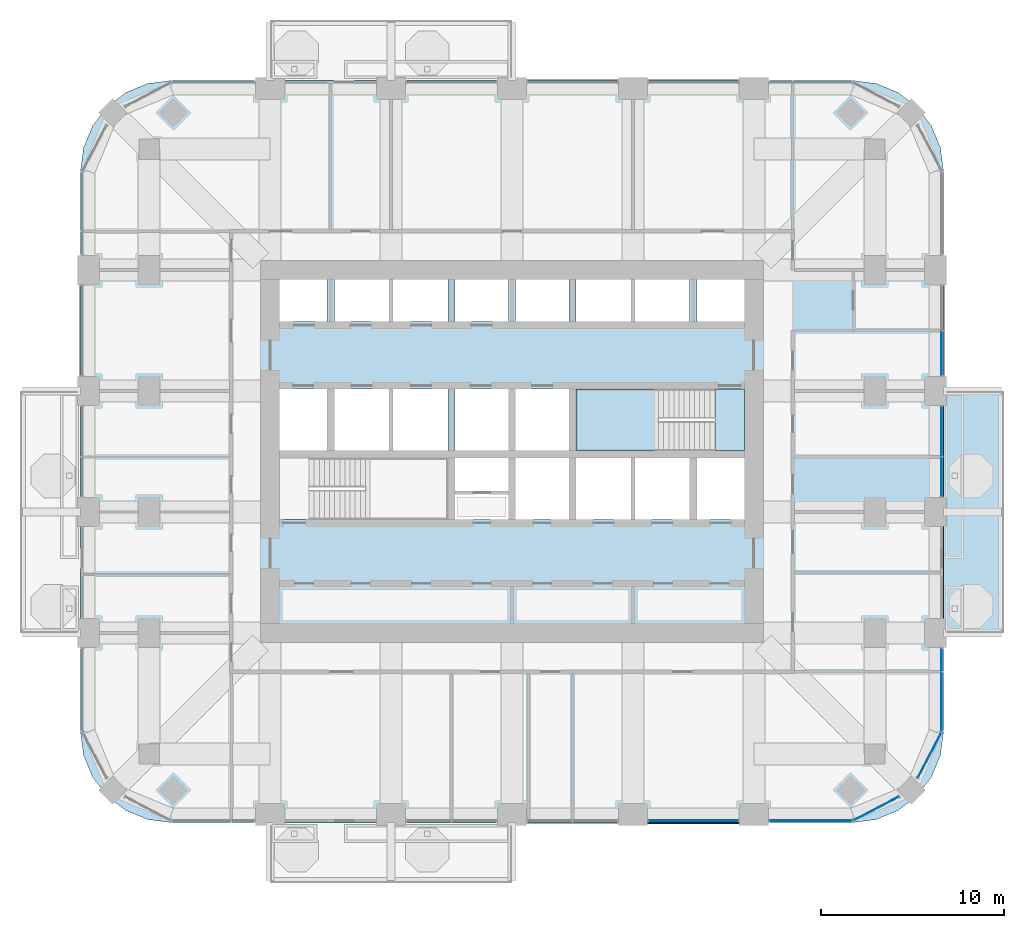
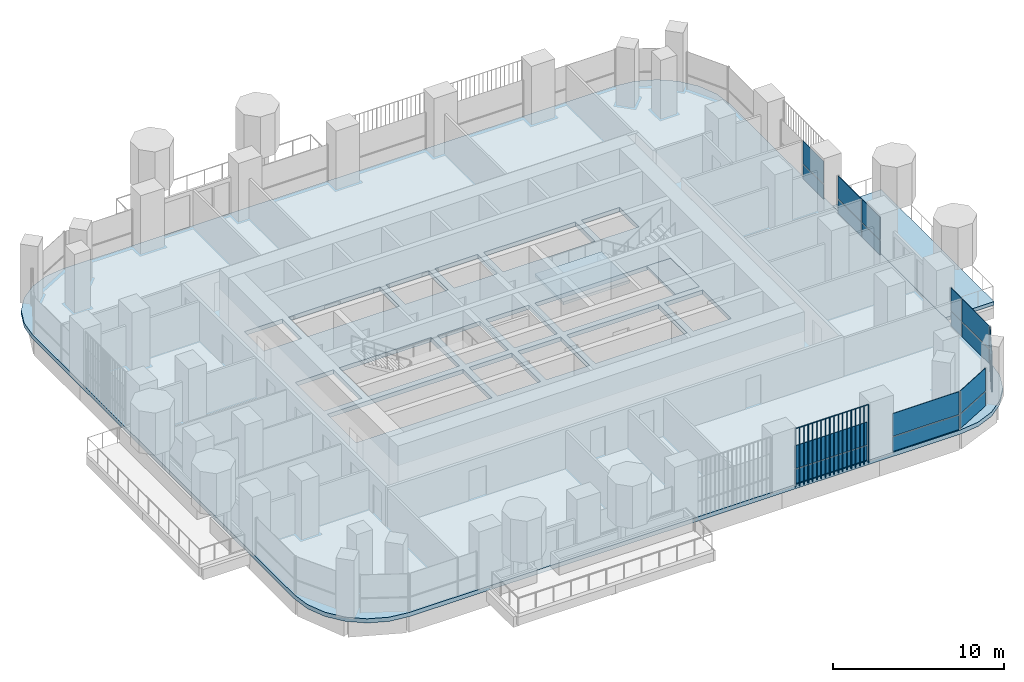
# One storey, part 9 of 20: 19 plates, 4 slabs, 8 elements without a shape of their own.
"""IFC4 building model written with IfcOpenShell, lengths in metres."""

import ifcopenshell
import ifcopenshell.guid

model = None  # the IFC model being written
_history = None  # IfcOwnerHistory: only IFC2X3 demands one
_inside = {}  # id of a spatial element -> (the spatial element, [elements in it])
_under = {}  # id of a project, library or spatial element -> (it, [spatial elements below it])
_declared = {}  # id of a project -> (the project, [libraries it declares])
_typed = {}  # id of a type object -> (the type object, [elements of that type])
_made_of = {}  # id of a material, layer set ... -> (it, [elements and type objects made of it])


def new_model(schema):
    """Start an empty IFC model of exactly this schema.

    Asked for "IFC4X3", IfcOpenShell would pick the latest addendum, in which some entities
    have other attributes; the version numbers below select the first issue.
    IFC2X3 requires an IfcOwnerHistory on every rooted entity: one is made here for all.
    """
    global model, _history
    if schema == "IFC4X3":
        model = ifcopenshell.file(schema_version=(4, 3, 0, 0))
    else:
        model = ifcopenshell.file(schema=schema)
    _inside.clear()
    _under.clear()
    _declared.clear()
    _typed.clear()
    _made_of.clear()
    _history = None
    if model.schema == "IFC2X3":
        org = make("IfcOrganization", Name="unknown")
        user = make(
            "IfcPersonAndOrganization",
            ThePerson=make("IfcPerson", FamilyName="unknown"),
            TheOrganization=org,
        )
        app = make(
            "IfcApplication",
            ApplicationDeveloper=org,
            Version="unknown",
            ApplicationFullName="unknown",
            ApplicationIdentifier="unknown",
        )
        _history = make(
            "IfcOwnerHistory",
            OwningUser=user,
            OwningApplication=app,
            ChangeAction="ADDED",
            CreationDate=0,
        )
    return model


def make(cls, **values):
    """One entity of the class cls with the attributes given. An attribute that is None is left unset."""
    return model.create_entity(
        cls, **{name: value for name, value in values.items() if value is not None}
    )


def rooted(cls, **values):
    """An entity with a GlobalId (a new one), such as an element, a storey or a relation."""
    return make(cls, GlobalId=ifcopenshell.guid.new(), OwnerHistory=_history, **values)


def si_unit(unit_type, name, prefix=None):
    """IfcSIUnit, for example si_unit("LENGTHUNIT", "METRE", prefix="MILLI")."""
    return make("IfcSIUnit", UnitType=unit_type, Prefix=prefix, Name=name)


def assignment(units):
    """IfcUnitAssignment: the units of a project."""
    return None if units is None else make("IfcUnitAssignment", Units=units)


def point(xyz):
    """IfcCartesianPoint."""
    return None if xyz is None else make("IfcCartesianPoint", Coordinates=xyz)


def direction(xyz):
    """IfcDirection."""
    return None if xyz is None else make("IfcDirection", DirectionRatios=xyz)


def frame(location, z_axis=None, x_axis=None):
    """IfcAxis2Placement3D, a coordinate frame: its origin and axes. An axis left out is left unset."""
    return make(
        "IfcAxis2Placement3D",
        Location=point(location),
        Axis=direction(z_axis),
        RefDirection=direction(x_axis),
    )


def frame_2d(location, x_axis=None):
    """IfcAxis2Placement2D, a coordinate frame in the plane: its origin and x axis."""
    return make(
        "IfcAxis2Placement2D", Location=point(location), RefDirection=direction(x_axis)
    )


def origin():
    """The frame at (0, 0, 0) with its axes left unset."""
    return frame((0.0, 0.0, 0.0))


def origin_2d():
    """The frame at (0, 0) in the plane with its x axis left unset."""
    return frame_2d((0.0, 0.0))


def place(relative_to, where):
    """IfcLocalPlacement: puts the frame where relative to a parent placement (None: the world)."""
    return make(
        "IfcLocalPlacement", PlacementRelTo=relative_to, RelativePlacement=where
    )


def context(
    kind, dimensions, precision=None, world=None, true_north=None, identifier=None
):
    """IfcGeometricRepresentationContext, for example the 3D "Model" context."""
    return make(
        "IfcGeometricRepresentationContext",
        ContextIdentifier=identifier,
        ContextType=kind,
        CoordinateSpaceDimension=dimensions,
        Precision=precision,
        WorldCoordinateSystem=world,
        TrueNorth=true_north,
    )


def subcontext(parent, identifier, kind, view, scale=None):
    """IfcGeometricRepresentationSubContext, for example "Body" below "Model"."""
    return make(
        "IfcGeometricRepresentationSubContext",
        ContextIdentifier=identifier,
        ContextType=kind,
        ParentContext=parent,
        TargetScale=scale,
        TargetView=view,
    )


def project(units=None, contexts=None):
    """IfcProject with its units and contexts."""
    return rooted(
        "IfcProject",
        Name="project",
        RepresentationContexts=contexts,
        UnitsInContext=assignment(units),
    )


def spatial(cls, under=None, at=None, **own):
    """A site, building, storey or space (cls), placed at a placement, below another one or the project."""
    s = rooted(cls, ObjectPlacement=at, **own)
    if under is not None:
        _under.setdefault(under.id(), (under, []))[1].append(s)
    return s


def polyline(points):
    """IfcPolyline through the points."""
    return make("IfcPolyline", Points=[point(p) for p in points])


def profile(cls, at=None, kind="AREA", **sizes):
    """A parametric profile (cls). Its sizes go by their IFC names, for example OverallWidth=200.0."""
    return make(cls, ProfileType=kind, Position=at, **sizes)


def rectangle(**sizes):
    """IfcRectangleProfileDef."""
    return profile("IfcRectangleProfileDef", **sizes)


def outline(outer, holes=None, kind="AREA"):
    """IfcArbitraryClosedProfileDef: a profile drawn as a closed curve; with holes, ...WithVoids."""
    if holes is None:
        return make("IfcArbitraryClosedProfileDef", ProfileType=kind, OuterCurve=outer)
    return make(
        "IfcArbitraryProfileDefWithVoids",
        ProfileType=kind,
        OuterCurve=outer,
        InnerCurves=holes,
    )


def extrude(swept, where, along, depth):
    """IfcExtrudedAreaSolid: the profile swept, set in the frame where, extruded along a direction by depth."""
    return make(
        "IfcExtrudedAreaSolid",
        SweptArea=swept,
        Position=where,
        ExtrudedDirection=direction(along),
        Depth=depth,
    )


def shape(context_of_items, identifier, shape_type, items):
    """IfcShapeRepresentation: the items that make up one representation, for example the "Body"."""
    return make(
        "IfcShapeRepresentation",
        ContextOfItems=context_of_items,
        RepresentationIdentifier=identifier,
        RepresentationType=shape_type,
        Items=items,
    )


def material(Name=None, Category=None):
    """IfcMaterial."""
    return make("IfcMaterial", Name=Name, Category=Category)


def layer(
    of_material, thickness, ventilated=None, Name=None, Category=None, Priority=None
):
    """IfcMaterialLayer: one layer of a wall or slab, of a material (None: an air gap)."""
    return make(
        "IfcMaterialLayer",
        Material=of_material,
        LayerThickness=thickness,
        IsVentilated=ventilated,
        Name=Name,
        Category=Category,
        Priority=Priority,
    )


def layer_set(layers, Name=None):
    """IfcMaterialLayerSet."""
    return make("IfcMaterialLayerSet", MaterialLayers=layers, LayerSetName=Name)


def made_of(thing, what):
    """Note that an element or type object is made of a material, layer set ...; save() writes the relation."""
    if what is not None:
        _made_of.setdefault(what.id(), (what, []))[1].append(thing)
    return thing


def type_object(cls, material=None, **own):
    """A type object (cls), such as IfcWallType, which elements share."""
    return made_of(rooted(cls, **own), material)


def element(
    cls,
    number,
    at=None,
    inside=None,
    cuts=None,
    type_object=None,
    material=None,
    context=None,
    identifier="Body",
    shape_type=None,
    held_by="IfcProductDefinitionShape",
    body=None,
    shapes=None,
    **own,
):
    """One element of the class cls, such as IfcWall. Its Tag is "e" and its number.

    at: its placement. inside: the storey or other place that contains it. cuts: it is an
    opening in that element (IfcRelVoidsElement). A single representation is given by context,
    identifier, shape_type and body (its items); several are given by shapes. held_by: the class
    of the entity that holds the representations. save() writes the other relations.
    """
    e = rooted(cls, Tag="e%d" % number, ObjectPlacement=at, **own)
    if body is not None:
        shapes = [shape(context, identifier, shape_type, body)]
    if shapes is not None:
        e.Representation = make(held_by, Representations=shapes)
    if inside is not None:
        _inside.setdefault(inside.id(), (inside, []))[1].append(e)
    if cuts is not None:
        rooted(
            "IfcRelVoidsElement", RelatingBuildingElement=cuts, RelatedOpeningElement=e
        )
    if type_object is not None:
        _typed.setdefault(type_object.id(), (type_object, []))[1].append(e)
    return made_of(e, material)


def aggregate(whole, parts):
    """IfcRelAggregates: a whole, such as a stair, and the parts it consists of."""
    return rooted("IfcRelAggregates", RelatingObject=whole, RelatedObjects=parts)


def save(model, path):
    """Write the relations noted so far, then the file.

    IfcRelAggregates (storeys below a building ...), IfcRelContainedInSpatialStructure (elements
    in a storey), IfcRelDefinesByType, IfcRelAssociatesMaterial and IfcRelDeclares: one each for
    every whole, place, type object, material and project.
    """
    for whole, parts in _under.values():
        aggregate(whole, parts)
    for where, things in _inside.values():
        rooted(
            "IfcRelContainedInSpatialStructure",
            RelatedElements=things,
            RelatingStructure=where,
        )
    for kind, things in _typed.values():
        rooted("IfcRelDefinesByType", RelatedObjects=things, RelatingType=kind)
    for what, things in _made_of.values():
        rooted("IfcRelAssociatesMaterial", RelatedObjects=things, RelatingMaterial=what)
    for by, libraries in _declared.values():
        rooted("IfcRelDeclares", RelatingContext=by, RelatedDefinitions=libraries)
    model.write(path)


model = new_model("IFC4")

# Units and contexts
model_context = context("Model", 3, precision=1e-05, world=origin(), true_north=direction((0.0, 1.0)))
body_context = subcontext(model_context, "Body", "Model", "MODEL_VIEW")
ifc_project = project(units=[si_unit("LENGTHUNIT", "METRE"), si_unit("AREAUNIT", "SQUARE_METRE"), si_unit("VOLUMEUNIT", "CUBIC_METRE"), si_unit("PLANEANGLEUNIT", "RADIAN"), si_unit("MASSUNIT", "GRAM", prefix="KILO")], contexts=[model_context])

# Site, building, storey
site_placement = place(None, origin())
site = spatial("IfcSite", under=ifc_project, at=site_placement, CompositionType="ELEMENT")
building_placement = place(site_placement, origin())
building = spatial("IfcBuilding", under=site, at=building_placement, Name="Cobogo Forest Laboratory Tower", CompositionType="ELEMENT")
storey_placement = place(building_placement, frame((0.0, 0.0, 193.5)))
storey = spatial("IfcBuildingStorey", under=building, at=storey_placement, Name="L44", CompositionType="ELEMENT", Elevation=193.5)

# Slabs
ifc_material_1 = material(Name="Concrete HA-40 (C40/50)", Category="concrete")
ifc_layer_1 = layer(ifc_material_1, 0.25)
ifc_layer_set_1 = layer_set([ifc_layer_1], Name="Balcony slab 250")
slab_type_1 = type_object("IfcSlabType", Name="Balcony slab 250", PredefinedType="FLOOR", material=ifc_layer_set_1)
slab_1_placement = place(storey_placement, frame((0.0, 0.0, -0.25)))
element("IfcSlab", 1, at=slab_1_placement, inside=storey, type_object=slab_type_1, Name="Balcony BAL-E1 L44", PredefinedType="FLOOR", context=body_context, shape_type="SweptSolid", body=[
    extrude(outline(polyline([(49.949951171875, 13.199951171875), (53.25, 13.199951171875), (53.25, 26.39990234375), (49.949951171875, 26.39990234375), (49.949951171875, 13.199951171875)])), origin(), (0.0, 0.0, 1.0), 0.25),
])
ifc_layer_2 = layer(ifc_material_1, 0.300048828125)
ifc_layer_set_2 = layer_set([ifc_layer_2], Name="Floor slab 300")
slab_type_2 = type_object("IfcSlabType", Name="Floor slab 300", PredefinedType="FLOOR", material=ifc_layer_set_2)
slab_2_placement = place(storey_placement, frame((0.0, 0.0, -0.300048828125)))
element("IfcSlab", 2, at=slab_2_placement, inside=storey, type_object=slab_type_2, Name="L44 floor slab", PredefinedType="FLOOR", context=body_context, shape_type="SweptSolid", body=[
    extrude(outline(polyline([(45.0, 2.85009765625), (46.28125, 3.0185546875), (47.47509765625, 3.51318359375), (48.500244140625, 4.2998046875), (49.286865234375, 5.324951171875), (49.78125, 6.518798828125), (49.949951171875, 7.800048828125), (49.949951171875, 38.39990234375), (49.78125, 39.68115234375), (49.286865234375, 40.875), (48.500244140625, 41.900146484375), (47.47509765625, 42.686767578125), (46.28125, 43.181396484375), (45.0, 43.35009765625), (7.800048828125, 43.35009765625), (6.518798828125, 43.181396484375), (5.324951171875, 42.686767578125), (4.2998046875, 41.900146484375), (3.51318359375, 40.875), (3.0185546875, 39.68115234375), (2.85009765625, 38.39990234375), (2.85009765625, 7.800048828125), (3.0185546875, 6.518798828125), (3.51318359375, 5.324951171875), (4.2998046875, 4.2998046875), (5.324951171875, 3.51318359375), (6.518798828125, 3.0185546875), (7.800048828125, 2.85009765625), (45.0, 2.85009765625)]), holes=[polyline([(22.89990234375, 19.39990234375), (13.72509765625, 19.39990234375), (13.72509765625, 22.75), (22.89990234375, 22.75), (22.89990234375, 19.39990234375)]), polyline([(26.199951171875, 19.39990234375), (23.300048828125, 19.39990234375), (23.300048828125, 22.75), (26.199951171875, 22.75), (26.199951171875, 19.39990234375)]), polyline([(29.5, 19.39990234375), (26.60009765625, 19.39990234375), (26.60009765625, 22.75), (29.5, 22.75), (29.5, 19.39990234375)]), polyline([(36.10009765625, 22.75), (36.10009765625, 19.39990234375), (29.89990234375, 19.39990234375), (29.89990234375, 22.75), (36.10009765625, 22.75)]), polyline([(36.5, 19.39990234375), (36.5, 22.75), (39.074951171875, 22.75), (39.074951171875, 19.39990234375), (36.5, 19.39990234375)]), polyline([(16.300048828125, 23.14990234375), (13.72509765625, 23.14990234375), (13.72509765625, 26.5), (16.300048828125, 26.5), (16.300048828125, 23.14990234375)]), polyline([(22.89990234375, 26.5), (22.89990234375, 23.14990234375), (16.699951171875, 23.14990234375), (16.699951171875, 26.5), (22.89990234375, 26.5)]), polyline([(26.199951171875, 23.14990234375), (23.300048828125, 23.14990234375), (23.300048828125, 26.5), (26.199951171875, 26.5), (26.199951171875, 23.14990234375)]), polyline([(26.60009765625, 23.14990234375), (26.60009765625, 26.5), (29.5, 26.5), (29.5, 23.14990234375), (26.60009765625, 23.14990234375)]), polyline([(39.074951171875, 23.14990234375), (29.89990234375, 23.14990234375), (29.89990234375, 26.5), (39.074951171875, 26.5), (39.074951171875, 23.14990234375)]), polyline([(16.300048828125, 30.199951171875), (13.72509765625, 30.199951171875), (13.72509765625, 32.47509765625), (16.300048828125, 32.47509765625), (16.300048828125, 30.199951171875)]), polyline([(22.89990234375, 32.47509765625), (22.89990234375, 30.199951171875), (16.699951171875, 30.199951171875), (16.699951171875, 32.47509765625), (22.89990234375, 32.47509765625)]), polyline([(23.300048828125, 30.199951171875), (23.300048828125, 32.47509765625), (26.199951171875, 32.47509765625), (26.199951171875, 30.199951171875), (23.300048828125, 30.199951171875)]), polyline([(29.5, 30.199951171875), (26.60009765625, 30.199951171875), (26.60009765625, 32.47509765625), (29.5, 32.47509765625), (29.5, 30.199951171875)]), polyline([(36.10009765625, 32.47509765625), (36.10009765625, 30.199951171875), (29.89990234375, 30.199951171875), (29.89990234375, 32.47509765625), (36.10009765625, 32.47509765625)]), polyline([(36.5, 30.199951171875), (36.5, 32.47509765625), (39.074951171875, 32.47509765625), (39.074951171875, 30.199951171875), (36.5, 30.199951171875)])]), origin(), (0.0, 0.0, 1.0), 0.300048828125),
])

# Curtain wall, plates
ifc_material_2 = material(Name="Aluminium curtain wall", Category="aluminium")
curtain_wall_type = type_object("IfcCurtainWallType", Name="CW-2 unitised curtain wall, solar control glazing, laboratory floors zones C and D", PredefinedType="USERDEFINED", material=ifc_material_2)
curtain_wall_1_placement = place(storey_placement, origin())
curtain_wall_1 = element("IfcCurtainWall", 3, at=curtain_wall_1_placement, inside=storey, type_object=curtain_wall_type, Name="Curtain wall 05 L44", ObjectType="UNITISED CURTAIN WALL", PredefinedType="USERDEFINED")
ifc_material_3 = material(Name="Solar control insulated glass", Category="glass")
ifc_layer_3 = layer(ifc_material_3, 0.031982421875)
ifc_layer_set_3 = layer_set([ifc_layer_3], Name="GP-2 solar control glass unit 32")
plate_type_1 = type_object("IfcPlateType", Name="GP-2 solar control glass unit 32", PredefinedType="CURTAIN_PANEL", material=ifc_layer_set_3)
plate_1_placement = place(storey_placement, frame((36.300048828125, 2.949951171875, 0.0), z_axis=(0.0, 0.0, 1.0), x_axis=(1.0, 0.0, 0.0)))
plate_1 = element("IfcPlate", 4, at=plate_1_placement, type_object=plate_type_1, Name="CW-2 panel 1.1", PredefinedType="CURTAIN_PANEL", context=body_context, shape_type="SweptSolid", body=[
    extrude(rectangle(XDim=4.8798828125, YDim=0.031982421875, at=origin_2d()), origin(), (0.0, 0.0, 1.0), 1.02001953125),
])
plate_2_placement = place(storey_placement, frame((36.300048828125, 2.949951171875, 1.079833984375), z_axis=(0.0, 0.0, 1.0), x_axis=(1.0, 0.0, 0.0)))
plate_2 = element("IfcPlate", 5, at=plate_2_placement, type_object=plate_type_1, Name="CW-2 panel 1.2", PredefinedType="CURTAIN_PANEL", context=body_context, shape_type="SweptSolid", body=[
    extrude(rectangle(XDim=4.8798828125, YDim=0.031982421875, at=origin_2d()), origin(), (0.0, 0.0, 1.0), 1.6201171875),
])
aggregate(curtain_wall_1, [plate_1, plate_2])

curtain_wall_2_placement = place(storey_placement, origin())
curtain_wall_2 = element("IfcCurtainWall", 6, at=curtain_wall_2_placement, inside=storey, type_object=curtain_wall_type, Name="Curtain wall 06 L44", ObjectType="UNITISED CURTAIN WALL", PredefinedType="USERDEFINED")
plate_3_placement = place(storey_placement, frame((42.699951171875, 2.949951171875, 0.0), z_axis=(0.0, 0.0, 1.0), x_axis=(1.0, 0.0, 0.0)))
plate_3 = element("IfcPlate", 7, at=plate_3_placement, type_object=plate_type_1, Name="CW-2 panel 1.1", PredefinedType="CURTAIN_PANEL", context=body_context, shape_type="SweptSolid", body=[
    extrude(rectangle(XDim=4.47998046875, YDim=0.031982421875, at=origin_2d()), origin(), (0.0, 0.0, 1.0), 1.02001953125),
])
plate_4_placement = place(storey_placement, frame((42.699951171875, 2.949951171875, 1.079833984375), z_axis=(0.0, 0.0, 1.0), x_axis=(1.0, 0.0, 0.0)))
plate_4 = element("IfcPlate", 8, at=plate_4_placement, type_object=plate_type_1, Name="CW-2 panel 1.2", PredefinedType="CURTAIN_PANEL", context=body_context, shape_type="SweptSolid", body=[
    extrude(rectangle(XDim=4.47998046875, YDim=0.031982421875, at=origin_2d()), origin(), (0.0, 0.0, 1.0), 1.6201171875),
])
aggregate(curtain_wall_2, [plate_3, plate_4])

curtain_wall_3_placement = place(storey_placement, origin())
curtain_wall_3 = element("IfcCurtainWall", 9, at=curtain_wall_3_placement, inside=storey, type_object=curtain_wall_type, Name="Curtain wall 07 L44", ObjectType="UNITISED CURTAIN WALL", PredefinedType="USERDEFINED")
plate_5_placement = place(storey_placement, frame((46.275634765625, 3.61865234375, 0.0), z_axis=(0.0, 0.0, 1.0), x_axis=(0.885686484356, 0.464283804832, 0.0)))
plate_5 = element("IfcPlate", 10, at=plate_5_placement, type_object=plate_type_1, Name="CW-2 panel 1.1", PredefinedType="CURTAIN_PANEL", context=body_context, shape_type="SweptSolid", body=[
    extrude(rectangle(XDim=2.76025390625, YDim=0.031982421875, at=origin_2d()), origin(), (0.0, 0.0, 1.0), 1.02001953125),
])
plate_6_placement = place(storey_placement, frame((46.275634765625, 3.61865234375, 1.079833984375), z_axis=(0.0, 0.0, 1.0), x_axis=(0.885686484356, 0.464283804832, 0.0)))
plate_6 = element("IfcPlate", 11, at=plate_6_placement, type_object=plate_type_1, Name="CW-2 panel 1.2", PredefinedType="CURTAIN_PANEL", context=body_context, shape_type="SweptSolid", body=[
    extrude(rectangle(XDim=2.76025390625, YDim=0.031982421875, at=origin_2d()), origin(), (0.0, 0.0, 1.0), 1.6201171875),
])
aggregate(curtain_wall_3, [plate_5, plate_6])

curtain_wall_4_placement = place(storey_placement, origin())
curtain_wall_4 = element("IfcCurtainWall", 12, at=curtain_wall_4_placement, inside=storey, type_object=curtain_wall_type, Name="Curtain wall 08 L44", ObjectType="UNITISED CURTAIN WALL", PredefinedType="USERDEFINED")
plate_7_placement = place(storey_placement, frame((49.181396484375, 6.5244140625, 0.0), z_axis=(0.0, 0.0, 1.0), x_axis=(0.464283804832, 0.885686484356, 0.0)))
plate_7 = element("IfcPlate", 13, at=plate_7_placement, type_object=plate_type_1, Name="CW-2 panel 1.1", PredefinedType="CURTAIN_PANEL", context=body_context, shape_type="SweptSolid", body=[
    extrude(rectangle(XDim=2.76025390625, YDim=0.031982421875, at=origin_2d()), origin(), (0.0, 0.0, 1.0), 1.02001953125),
])
plate_8_placement = place(storey_placement, frame((49.181396484375, 6.5244140625, 1.079833984375), z_axis=(0.0, 0.0, 1.0), x_axis=(0.464283804832, 0.885686484356, 0.0)))
plate_8 = element("IfcPlate", 14, at=plate_8_placement, type_object=plate_type_1, Name="CW-2 panel 1.2", PredefinedType="CURTAIN_PANEL", context=body_context, shape_type="SweptSolid", body=[
    extrude(rectangle(XDim=2.76025390625, YDim=0.031982421875, at=origin_2d()), origin(), (0.0, 0.0, 1.0), 1.6201171875),
])
aggregate(curtain_wall_4, [plate_7, plate_8])

curtain_wall_5_placement = place(storey_placement, origin())
curtain_wall_5 = element("IfcCurtainWall", 15, at=curtain_wall_5_placement, inside=storey, type_object=curtain_wall_type, Name="Curtain wall 09 L44", ObjectType="UNITISED CURTAIN WALL", PredefinedType="USERDEFINED")
plate_9_placement = place(storey_placement, frame((49.85009765625, 9.452392578125, 0.0), z_axis=(0.0, 0.0, 1.0), x_axis=(0.0, 1.0, 0.0)))
plate_9 = element("IfcPlate", 16, at=plate_9_placement, type_object=plate_type_1, Name="CW-2 panel 1.1", PredefinedType="CURTAIN_PANEL", context=body_context, shape_type="SweptSolid", body=[
    extrude(rectangle(XDim=3.18505859375, YDim=0.031982421875, at=origin_2d()), origin(), (0.0, 0.0, 1.0), 1.02001953125),
])
plate_10_placement = place(storey_placement, frame((49.85009765625, 9.452392578125, 1.079833984375), z_axis=(0.0, 0.0, 1.0), x_axis=(0.0, 1.0, 0.0)))
plate_10 = element("IfcPlate", 17, at=plate_10_placement, type_object=plate_type_1, Name="CW-2 panel 1.2", PredefinedType="CURTAIN_PANEL", context=body_context, shape_type="SweptSolid", body=[
    extrude(rectangle(XDim=3.18505859375, YDim=0.031982421875, at=origin_2d()), origin(), (0.0, 0.0, 1.0), 1.6201171875),
])
plate_11_placement = place(storey_placement, frame((49.85009765625, 11.722412109375, 0.0), z_axis=(0.0, 0.0, 1.0), x_axis=(0.0, 1.0, 0.0)))
plate_11 = element("IfcPlate", 18, at=plate_11_placement, type_object=plate_type_1, Name="CW-2 panel 2.1", PredefinedType="CURTAIN_PANEL", context=body_context, shape_type="SweptSolid", body=[
    extrude(rectangle(XDim=1.235107421875, YDim=0.031982421875, at=origin_2d()), origin(), (0.0, 0.0, 1.0), 1.02001953125),
])
plate_12_placement = place(storey_placement, frame((49.85009765625, 11.722412109375, 1.079833984375), z_axis=(0.0, 0.0, 1.0), x_axis=(0.0, 1.0, 0.0)))
plate_12 = element("IfcPlate", 19, at=plate_12_placement, type_object=plate_type_1, Name="CW-2 panel 2.2", PredefinedType="CURTAIN_PANEL", context=body_context, shape_type="SweptSolid", body=[
    extrude(rectangle(XDim=1.235107421875, YDim=0.031982421875, at=origin_2d()), origin(), (0.0, 0.0, 1.0), 1.6201171875),
])
aggregate(curtain_wall_5, [plate_9, plate_10, plate_11, plate_12])

curtain_wall_6_placement = place(storey_placement, origin())
curtain_wall_6 = element("IfcCurtainWall", 20, at=curtain_wall_6_placement, inside=storey, type_object=curtain_wall_type, Name="Curtain wall 11 L44", ObjectType="UNITISED CURTAIN WALL", PredefinedType="USERDEFINED")
plate_13_placement = place(storey_placement, frame((49.85009765625, 21.715087890625, 0.0), z_axis=(0.0, 0.0, 1.0), x_axis=(0.0, 1.0, 0.0)))
plate_13 = element("IfcPlate", 21, at=plate_13_placement, type_object=plate_type_1, Name="CW-2 panel 1.1", PredefinedType="CURTAIN_PANEL", context=body_context, shape_type="SweptSolid", body=[
    extrude(rectangle(XDim=2.110107421875, YDim=0.031982421875, at=origin_2d()), origin(), (0.0, 0.0, 1.0), 1.02001953125),
])
plate_14_placement = place(storey_placement, frame((49.85009765625, 21.715087890625, 1.079833984375), z_axis=(0.0, 0.0, 1.0), x_axis=(0.0, 1.0, 0.0)))
plate_14 = element("IfcPlate", 22, at=plate_14_placement, type_object=plate_type_1, Name="CW-2 panel 1.2", PredefinedType="CURTAIN_PANEL", context=body_context, shape_type="SweptSolid", body=[
    extrude(rectangle(XDim=2.110107421875, YDim=0.031982421875, at=origin_2d()), origin(), (0.0, 0.0, 1.0), 1.6201171875),
])
plate_15_placement = place(storey_placement, frame((49.85009765625, 24.18505859375, 0.0), z_axis=(0.0, 0.0, 1.0), x_axis=(0.0, 1.0, 0.0)))
plate_15 = element("IfcPlate", 23, at=plate_15_placement, type_object=plate_type_1, Name="CW-2 panel 2.1", PredefinedType="CURTAIN_PANEL", context=body_context, shape_type="SweptSolid", body=[
    extrude(rectangle(XDim=2.7099609375, YDim=0.031982421875, at=origin_2d()), origin(), (0.0, 0.0, 1.0), 1.02001953125),
])
plate_16_placement = place(storey_placement, frame((49.85009765625, 24.18505859375, 1.079833984375), z_axis=(0.0, 0.0, 1.0), x_axis=(0.0, 1.0, 0.0)))
plate_16 = element("IfcPlate", 24, at=plate_16_placement, type_object=plate_type_1, Name="CW-2 panel 2.2", PredefinedType="CURTAIN_PANEL", context=body_context, shape_type="SweptSolid", body=[
    extrude(rectangle(XDim=2.7099609375, YDim=0.031982421875, at=origin_2d()), origin(), (0.0, 0.0, 1.0), 1.6201171875),
])
aggregate(curtain_wall_6, [plate_13, plate_14, plate_15, plate_16])

curtain_wall_7_placement = place(storey_placement, origin())
curtain_wall_7 = element("IfcCurtainWall", 25, at=curtain_wall_7_placement, inside=storey, type_object=curtain_wall_type, Name="Curtain wall 12 L44", ObjectType="UNITISED CURTAIN WALL", PredefinedType="USERDEFINED")
plate_17_placement = place(storey_placement, frame((49.85009765625, 28.465087890625, 0.0), z_axis=(0.0, 0.0, 1.0), x_axis=(0.0, 1.0, 0.0)))
plate_17 = element("IfcPlate", 26, at=plate_17_placement, type_object=plate_type_1, Name="CW-2 panel 1.1", PredefinedType="CURTAIN_PANEL", context=body_context, shape_type="SweptSolid", body=[
    extrude(rectangle(XDim=2.409912109375, YDim=0.031982421875, at=origin_2d()), origin(), (0.0, 0.0, 1.0), 1.02001953125),
])
plate_18_placement = place(storey_placement, frame((49.85009765625, 28.465087890625, 1.079833984375), z_axis=(0.0, 0.0, 1.0), x_axis=(0.0, 1.0, 0.0)))
plate_18 = element("IfcPlate", 27, at=plate_18_placement, type_object=plate_type_1, Name="CW-2 panel 1.2", PredefinedType="CURTAIN_PANEL", context=body_context, shape_type="SweptSolid", body=[
    extrude(rectangle(XDim=2.409912109375, YDim=0.031982421875, at=origin_2d()), origin(), (0.0, 0.0, 1.0), 1.6201171875),
])
aggregate(curtain_wall_7, [plate_17, plate_18])

# Stair, slabs
ifc_material_4 = material(Name="Precast concrete HA-40 (C40/50)", Category="concrete")
stair_type = type_object("IfcStairType", Name="ST24 exit stair 24 risers", PredefinedType="HALF_TURN_STAIR", material=ifc_material_4)
stair_placement = place(storey_placement, origin())
stair = element("IfcStair", 28, at=stair_placement, inside=storey, type_object=stair_type, Name="Stair 2 L44 to L45", PredefinedType="HALF_TURN_STAIR")
ifc_layer_4 = layer(ifc_material_1, 0.199951171875)
ifc_layer_set_4 = layer_set([ifc_layer_4], Name="SL stair landing 200")
slab_type_3 = type_object("IfcSlabType", Name="SL stair landing 200", PredefinedType="LANDING", material=ifc_layer_set_4)
slab_3_placement = place(storey_placement, frame((0.0, 0.0, -0.199951171875)))
slab_3 = element("IfcSlab", 29, at=slab_3_placement, type_object=slab_type_3, Name="ST2 landing 1", PredefinedType="LANDING", context=body_context, shape_type="SweptSolid", body=[
    extrude(outline(polyline([(37.472900390625, 23.14990234375), (39.074951171875, 23.14990234375), (39.074951171875, 26.5), (37.472900390625, 26.5), (37.472900390625, 23.14990234375)])), origin(), (0.0, 0.0, 1.0), 0.199951171875),
])
slab_4_placement = place(storey_placement, frame((0.0, 0.0, 1.89990234375)))
slab_4 = element("IfcSlab", 30, at=slab_4_placement, type_object=slab_type_3, Name="ST2 landing 2", PredefinedType="LANDING", context=body_context, shape_type="SweptSolid", body=[
    extrude(outline(polyline([(29.89990234375, 23.14990234375), (34.39697265625, 23.14990234375), (34.39697265625, 26.5), (29.89990234375, 26.5), (29.89990234375, 23.14990234375)])), origin(), (0.0, 0.0, 1.0), 0.2001953125),
])
aggregate(stair, [slab_3, slab_4])

# Plate
ifc_material_5 = material(Name="Terracotta", Category="masonry")
plate_type_2 = type_object("IfcPlateType", Name="TB1 terracotta baguette screen", PredefinedType="USERDEFINED", material=ifc_material_5)
plate_19_placement = place(storey_placement, frame((33.831298828125, 2.822021484375, -0.14990234375)))
element("IfcPlate", 31, at=plate_19_placement, inside=storey, type_object=plate_type_2, Name="Baguette screen S4 L44", ObjectType="BAGUETTE SCREEN", PredefinedType="USERDEFINED", context=body_context, shape_type="SweptSolid", body=[
    extrude(outline(polyline([(0.02880859375, 0.011962890625), (0.011962890625, 0.02880859375), (-0.011962890625, 0.02880859375), (-0.02880859375, 0.011962890625), (-0.02880859375, -0.011962890625), (-0.011962890625, -0.02880859375), (0.011962890625, -0.02880859375), (0.02880859375, -0.011962890625), (0.02880859375, 0.011962890625)])), frame((0.0, 0.0, 4.168701171875), z_axis=(1.0, 0.0, 0.0), x_axis=(0.0, 1.0, 0.0)), (0.0, 0.0, 1.0), 4.9375),
    extrude(outline(polyline([(0.02880859375, 0.011962890625), (0.011962890625, 0.02880859375), (-0.011962890625, 0.02880859375), (-0.02880859375, 0.011962890625), (-0.02880859375, -0.011962890625), (-0.011962890625, -0.02880859375), (0.011962890625, -0.02880859375), (0.02880859375, -0.011962890625), (0.02880859375, 0.011962890625)])), origin(), (0.0, 0.0, 1.0), 4.137451171875),
    extrude(outline(polyline([(0.02880859375, 0.011962890625), (0.011962890625, 0.02880859375), (-0.011962890625, 0.02880859375), (-0.02880859375, 0.011962890625), (-0.02880859375, -0.011962890625), (-0.011962890625, -0.02880859375), (0.011962890625, -0.02880859375), (0.02880859375, -0.011962890625), (0.02880859375, 0.011962890625)])), frame((0.29052734375, 0.0, 0.0)), (0.0, 0.0, 1.0), 4.137451171875),
    extrude(outline(polyline([(0.02880859375, 0.011962890625), (0.011962890625, 0.02880859375), (-0.011962890625, 0.02880859375), (-0.02880859375, 0.011962890625), (-0.02880859375, -0.011962890625), (-0.011962890625, -0.02880859375), (0.011962890625, -0.02880859375), (0.02880859375, -0.011962890625), (0.02880859375, 0.011962890625)])), frame((0.580810546875, 0.0, 0.0)), (0.0, 0.0, 1.0), 4.137451171875),
    extrude(outline(polyline([(0.02880859375, 0.011962890625), (0.011962890625, 0.02880859375), (-0.011962890625, 0.02880859375), (-0.02880859375, 0.011962890625), (-0.02880859375, -0.011962890625), (-0.011962890625, -0.02880859375), (0.011962890625, -0.02880859375), (0.02880859375, -0.011962890625), (0.02880859375, 0.011962890625)])), frame((0.871337890625, 0.0, 0.0)), (0.0, 0.0, 1.0), 4.137451171875),
    extrude(outline(polyline([(0.02880859375, 0.011962890625), (0.011962890625, 0.02880859375), (-0.011962890625, 0.02880859375), (-0.02880859375, 0.011962890625), (-0.02880859375, -0.011962890625), (-0.011962890625, -0.02880859375), (0.011962890625, -0.02880859375), (0.02880859375, -0.011962890625), (0.02880859375, 0.011962890625)])), frame((1.161865234375, 0.0, 0.0)), (0.0, 0.0, 1.0), 4.137451171875),
    extrude(outline(polyline([(0.02880859375, 0.011962890625), (0.011962890625, 0.02880859375), (-0.011962890625, 0.02880859375), (-0.02880859375, 0.011962890625), (-0.02880859375, -0.011962890625), (-0.011962890625, -0.02880859375), (0.011962890625, -0.02880859375), (0.02880859375, -0.011962890625), (0.02880859375, 0.011962890625)])), frame((1.4521484375, 0.0, 0.0)), (0.0, 0.0, 1.0), 4.137451171875),
    extrude(outline(polyline([(0.02880859375, 0.011962890625), (0.011962890625, 0.02880859375), (-0.011962890625, 0.02880859375), (-0.02880859375, 0.011962890625), (-0.02880859375, -0.011962890625), (-0.011962890625, -0.02880859375), (0.011962890625, -0.02880859375), (0.02880859375, -0.011962890625), (0.02880859375, 0.011962890625)])), frame((1.74267578125, 0.0, 0.0)), (0.0, 0.0, 1.0), 4.137451171875),
    extrude(outline(polyline([(0.02880859375, 0.011962890625), (0.011962890625, 0.02880859375), (-0.011962890625, 0.02880859375), (-0.02880859375, 0.011962890625), (-0.02880859375, -0.011962890625), (-0.011962890625, -0.02880859375), (0.011962890625, -0.02880859375), (0.02880859375, -0.011962890625), (0.02880859375, 0.011962890625)])), frame((2.033203125, 0.0, 0.0)), (0.0, 0.0, 1.0), 4.137451171875),
    extrude(outline(polyline([(0.02880859375, 0.011962890625), (0.011962890625, 0.02880859375), (-0.011962890625, 0.02880859375), (-0.02880859375, 0.011962890625), (-0.02880859375, -0.011962890625), (-0.011962890625, -0.02880859375), (0.011962890625, -0.02880859375), (0.02880859375, -0.011962890625), (0.02880859375, 0.011962890625)])), frame((2.323486328125, 0.0, 0.0)), (0.0, 0.0, 1.0), 4.137451171875),
    extrude(outline(polyline([(0.02880859375, 0.011962890625), (0.011962890625, 0.02880859375), (-0.011962890625, 0.02880859375), (-0.02880859375, 0.011962890625), (-0.02880859375, -0.011962890625), (-0.011962890625, -0.02880859375), (0.011962890625, -0.02880859375), (0.02880859375, -0.011962890625), (0.02880859375, 0.011962890625)])), frame((2.614013671875, 0.0, 0.0)), (0.0, 0.0, 1.0), 4.137451171875),
    extrude(outline(polyline([(0.02880859375, 0.011962890625), (0.011962890625, 0.02880859375), (-0.011962890625, 0.02880859375), (-0.02880859375, 0.011962890625), (-0.02880859375, -0.011962890625), (-0.011962890625, -0.02880859375), (0.011962890625, -0.02880859375), (0.02880859375, -0.011962890625), (0.02880859375, 0.011962890625)])), frame((2.904296875, 0.0, 0.0)), (0.0, 0.0, 1.0), 4.137451171875),
    extrude(outline(polyline([(0.02880859375, 0.011962890625), (0.011962890625, 0.02880859375), (-0.011962890625, 0.02880859375), (-0.02880859375, 0.011962890625), (-0.02880859375, -0.011962890625), (-0.011962890625, -0.02880859375), (0.011962890625, -0.02880859375), (0.02880859375, -0.011962890625), (0.02880859375, 0.011962890625)])), frame((3.19482421875, 0.0, 0.0)), (0.0, 0.0, 1.0), 4.137451171875),
    extrude(outline(polyline([(0.02880859375, 0.011962890625), (0.011962890625, 0.02880859375), (-0.011962890625, 0.02880859375), (-0.02880859375, 0.011962890625), (-0.02880859375, -0.011962890625), (-0.011962890625, -0.02880859375), (0.011962890625, -0.02880859375), (0.02880859375, -0.011962890625), (0.02880859375, 0.011962890625)])), frame((3.4853515625, 0.0, 0.0)), (0.0, 0.0, 1.0), 4.137451171875),
    extrude(outline(polyline([(0.02880859375, 0.011962890625), (0.011962890625, 0.02880859375), (-0.011962890625, 0.02880859375), (-0.02880859375, 0.011962890625), (-0.02880859375, -0.011962890625), (-0.011962890625, -0.02880859375), (0.011962890625, -0.02880859375), (0.02880859375, -0.011962890625), (0.02880859375, 0.011962890625)])), frame((3.775634765625, 0.0, 0.0)), (0.0, 0.0, 1.0), 4.137451171875),
    extrude(outline(polyline([(0.02880859375, 0.011962890625), (0.011962890625, 0.02880859375), (-0.011962890625, 0.02880859375), (-0.02880859375, 0.011962890625), (-0.02880859375, -0.011962890625), (-0.011962890625, -0.02880859375), (0.011962890625, -0.02880859375), (0.02880859375, -0.011962890625), (0.02880859375, 0.011962890625)])), frame((4.066162109375, 0.0, 0.0)), (0.0, 0.0, 1.0), 4.137451171875),
    extrude(outline(polyline([(0.02880859375, 0.011962890625), (0.011962890625, 0.02880859375), (-0.011962890625, 0.02880859375), (-0.02880859375, 0.011962890625), (-0.02880859375, -0.011962890625), (-0.011962890625, -0.02880859375), (0.011962890625, -0.02880859375), (0.02880859375, -0.011962890625), (0.02880859375, 0.011962890625)])), frame((4.356689453125, 0.0, 0.0)), (0.0, 0.0, 1.0), 4.137451171875),
    extrude(outline(polyline([(0.02880859375, 0.011962890625), (0.011962890625, 0.02880859375), (-0.011962890625, 0.02880859375), (-0.02880859375, 0.011962890625), (-0.02880859375, -0.011962890625), (-0.011962890625, -0.02880859375), (0.011962890625, -0.02880859375), (0.02880859375, -0.011962890625), (0.02880859375, 0.011962890625)])), frame((4.64697265625, 0.0, 0.0)), (0.0, 0.0, 1.0), 4.137451171875),
    extrude(outline(polyline([(0.02880859375, 0.011962890625), (0.011962890625, 0.02880859375), (-0.011962890625, 0.02880859375), (-0.02880859375, 0.011962890625), (-0.02880859375, -0.011962890625), (-0.011962890625, -0.02880859375), (0.011962890625, -0.02880859375), (0.02880859375, -0.011962890625), (0.02880859375, 0.011962890625)])), frame((4.9375, 0.0, 0.0)), (0.0, 0.0, 1.0), 4.137451171875),
])

save(model, "model.ifc")
